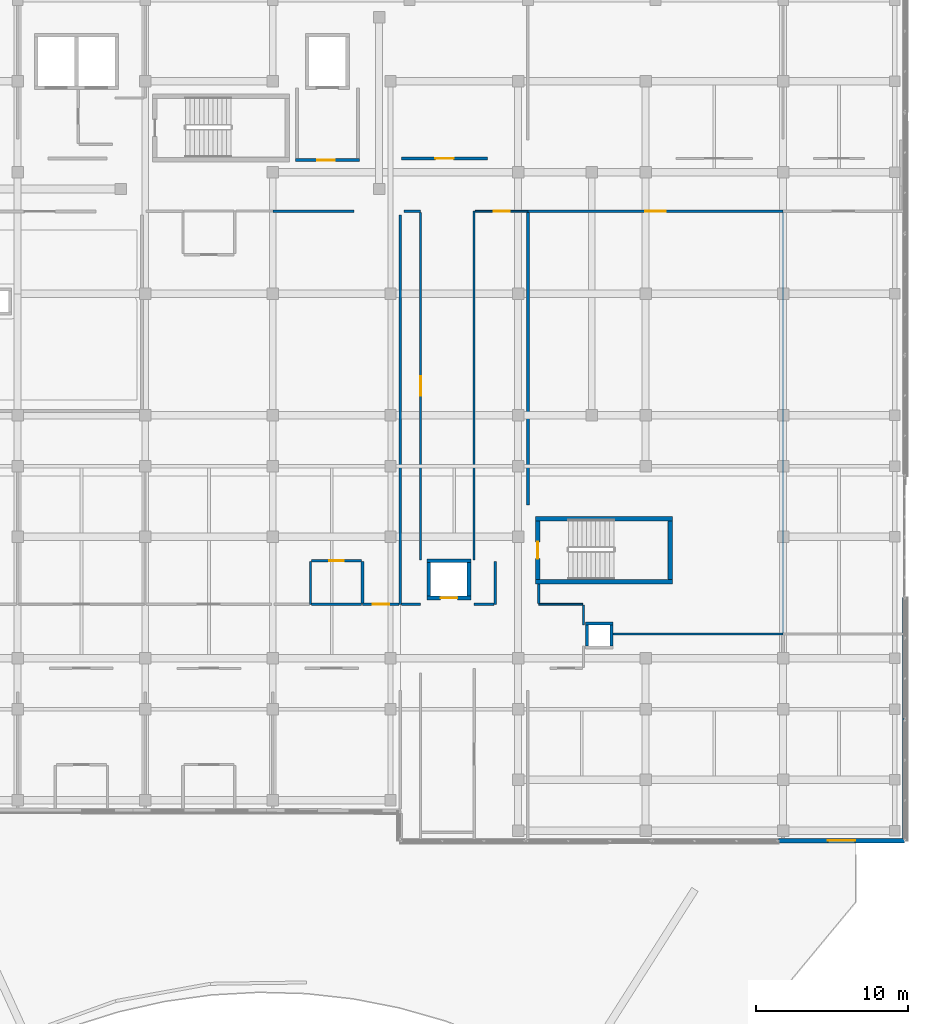
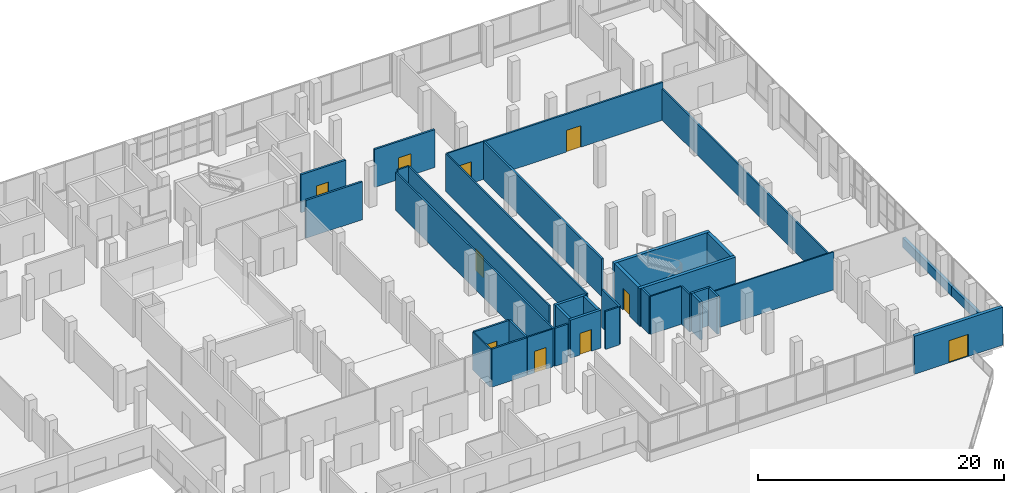
# One storey, part 90 of 101: 37 walls, 10 doors, 10 openings.
"""IFC4 building model written with IfcOpenShell, lengths in metres."""

from ifc_helpers import new_model, si_unit, direction, frame, frame_2d, origin, place, context, subcontext, project, spatial, rectangle, extrude, material, layer, layer_set, type_object, element, fill, save


model = new_model("IFC4")

# Units and contexts
model_context = context("Model", 3, precision=1e-05, world=origin(), true_north=direction((0.0, 1.0)))
body_context = subcontext(model_context, "Body", "Model", "MODEL_VIEW")
ifc_project = project(units=[si_unit("LENGTHUNIT", "METRE"), si_unit("AREAUNIT", "SQUARE_METRE"), si_unit("VOLUMEUNIT", "CUBIC_METRE"), si_unit("PLANEANGLEUNIT", "RADIAN"), si_unit("MASSUNIT", "GRAM", prefix="KILO")], contexts=[model_context])

# Site, building, storey
site_placement = place(None, origin())
site = spatial("IfcSite", under=ifc_project, at=site_placement, CompositionType="ELEMENT")
building_placement = place(site_placement, origin())
building = spatial("IfcBuilding", under=site, at=building_placement, Name="Selatvlak General Hospital", CompositionType="ELEMENT")
storey_placement = place(building_placement, frame((0.0, 0.0, 19.199951171875)))
storey = spatial("IfcBuildingStorey", under=building, at=storey_placement, Name="L04", CompositionType="ELEMENT", Elevation=19.199951171875)

# Wall, opening, door
ifc_material_1 = material(Name="Precast concrete C40/50 - white fair-faced", Category="concrete")
ifc_layer_1 = layer(ifc_material_1, 0.300048828125, Name="Precast concrete C40/50 - white fair-faced", Category="concrete")
ifc_layer_set_1 = layer_set([ifc_layer_1], Name="Precast concrete C40/50 - white fair-faced")
wall_type_1 = type_object("IfcWallType", Name="WALL-EW-01", PredefinedType="SOLIDWALL", material=ifc_layer_set_1)
wall_1_placement = place(storey_placement, frame((182.0, 64.0009765625, 0.0), z_axis=(0.0, 0.0, 1.0), x_axis=(-1.0, 0.0, 0.0)))
wall_1 = element("IfcWall", 1, at=wall_1_placement, inside=storey, type_object=wall_type_1, Name="L04 exterior wall 0452", PredefinedType="SOLIDWALL", context=body_context, shape_type="SweptSolid", body=[
    extrude(rectangle(XDim=8.300048828125, YDim=0.300048828125, at=frame_2d((4.14990234375, 0.0))), origin(), (0.0, 0.0, 1.0), 3.77001953125),
])
opening_1_placement = place(wall_1_placement, frame((3.25, 0.0, 0.0)))
opening_1 = element("IfcOpeningElement", 2, at=opening_1_placement, cuts=wall_1, Name="Opening DE-04", PredefinedType="OPENING", context=body_context, shape_type="SweptSolid", body=[
    extrude(rectangle(XDim=1.800048828125, YDim=2.199951171875, at=frame_2d((0.89990234375, 1.10009765625))), frame((0.0, 0.159912109375, 0.0), z_axis=(0.0, -1.0, 0.0), x_axis=(1.0, 0.0, 0.0)), (0.0, 0.0, 1.0), 0.320068359375),
])
ifc_material_2 = material(Name="Anodised aluminium terrace double door", Category="aluminium")
door_type_1 = type_object("IfcDoorType", Name="DOOR-DE-04", OperationType="DOUBLE_DOOR_SINGLE_SWING", PredefinedType="DOOR", material=ifc_material_2)
door_1_placement = place(opening_1_placement, origin())
door_1 = element("IfcDoor", 3, at=door_1_placement, inside=storey, type_object=door_type_1, Name="L04 healing roof terrace door 030", OperationType="DOUBLE_DOOR_SINGLE_SWING", OverallHeight=2.199951171875, OverallWidth=1.800048828125, PredefinedType="DOOR", context=body_context, shape_type="SweptSolid", body=[
    extrude(rectangle(XDim=1.800048828125, YDim=2.199951171875, at=frame_2d((0.89990234375, 1.10009765625))), frame((0.0, 0.02490234375, 0.0), z_axis=(0.0, -1.0, 0.0), x_axis=(1.0, 0.0, 0.0)), (0.0, 0.0, 1.0), 0.050048828125),
])
fill(opening_1, door_1)

# Walls
ifc_material_3 = material(Name="Precast concrete C40/50 - white Bauhaus spandrel", Category="concrete")
ifc_layer_2 = layer(ifc_material_3, 0.280029296875, Name="Precast concrete C40/50 - white Bauhaus spandrel", Category="concrete")
ifc_layer_set_2 = layer_set([ifc_layer_2], Name="Precast concrete C40/50 - white Bauhaus spandrel")
wall_type_2 = type_object("IfcWallType", Name="WALL-EW-02", PredefinedType="SOLIDWALL", material=ifc_layer_set_2)
wall_2_placement = place(storey_placement, frame((182.0, 79.9990234375, 0.0), z_axis=(0.0, 0.0, 1.0), x_axis=(0.0, -1.0, 0.0)))
element("IfcWall", 4, at=wall_2_placement, inside=storey, type_object=wall_type_2, Name="L04 Bauhaus spandrel sill wall 0450", PredefinedType="SOLIDWALL", context=body_context, shape_type="SweptSolid", body=[
    extrude(rectangle(XDim=7.99609375, YDim=0.280029296875, at=frame_2d((3.998046875, 0.0))), origin(), (0.0, 0.0, 1.0), 0.93994140625),
])
wall_3_placement = place(storey_placement, frame((182.0, 71.9990234375, 0.0), z_axis=(0.0, 0.0, 1.0), x_axis=(0.0, -1.0, 0.0)))
element("IfcWall", 5, at=wall_3_placement, inside=storey, type_object=wall_type_2, Name="L04 Bauhaus spandrel sill wall 0451", PredefinedType="SOLIDWALL", context=body_context, shape_type="SweptSolid", body=[
    extrude(rectangle(XDim=7.85791015625, YDim=0.280029296875, at=frame_2d((3.928955078125, 0.0))), origin(), (0.0, 0.0, 1.0), 0.93994140625),
])

# Wall, opening, door
ifc_material_4 = material(Name="Concrete C40/50", Category="concrete")
ifc_layer_3 = layer(ifc_material_4, 0.199951171875, Name="Concrete C40/50", Category="concrete")
ifc_layer_set_3 = layer_set([ifc_layer_3], Name="Concrete C40/50")
wall_type_3 = type_object("IfcWallType", Name="WALL-IW-02", PredefinedType="SOLIDWALL", material=ifc_layer_set_3)
wall_4_placement = place(storey_placement, frame((141.89990234375, 108.800048828125, 0.0), z_axis=(0.0, 0.0, 1.0), x_axis=(1.0, 0.0, 0.0)))
wall_4 = element("IfcWall", 6, at=wall_4_placement, inside=storey, type_object=wall_type_3, Name="Firefighting lobby C4 wall L04 S", PredefinedType="SOLIDWALL", context=body_context, shape_type="SweptSolid", body=[
    extrude(rectangle(XDim=4.2001953125, YDim=0.199951171875, at=frame_2d((2.10009765625, 0.0))), origin(), (0.0, 0.0, 1.0), 3.77001953125),
])
opening_2_placement = place(wall_4_placement, frame((1.425048828125, 0.0, 0.0)))
opening_2 = element("IfcOpeningElement", 7, at=opening_2_placement, cuts=wall_4, Name="Opening D-06", PredefinedType="OPENING", context=body_context, shape_type="SweptSolid", body=[
    extrude(rectangle(XDim=1.14990234375, YDim=2.14990234375, at=frame_2d((0.574951171875, 1.074951171875))), frame((0.0, 0.10986328125, 0.0), z_axis=(0.0, -1.0, 0.0), x_axis=(1.0, 0.0, 0.0)), (0.0, 0.0, 1.0), 0.219970703125),
])
ifc_material_5 = material(Name="Firefighting lobby fire door")
door_type_2 = type_object("IfcDoorType", Name="DOOR-D-06", OperationType="NOTDEFINED", PredefinedType="DOOR", material=ifc_material_5)
door_2_placement = place(opening_2_placement, origin())
door_2 = element("IfcDoor", 8, at=door_2_placement, inside=storey, type_object=door_type_2, Name="Firefighting lobby C4 door on L04", OperationType="SINGLE_SWING_RIGHT", OverallHeight=2.14990234375, OverallWidth=1.14990234375, PredefinedType="DOOR", context=body_context, shape_type="SweptSolid", body=[
    extrude(rectangle(XDim=1.14990234375, YDim=2.14990234375, at=frame_2d((0.574951171875, 1.074951171875))), frame((0.0, 0.02490234375, 0.0), z_axis=(0.0, -1.0, 0.0), x_axis=(1.0, 0.0, 0.0)), (0.0, 0.0, 1.0), 0.050048828125),
])
fill(opening_2, door_2)

# Walls
wall_5_placement = place(storey_placement, frame((162.699951171875, 76.800048828125, 0.0), z_axis=(0.0, 0.0, 1.0), x_axis=(0.0, 1.0, 0.0)))
element("IfcWall", 9, at=wall_5_placement, inside=storey, type_object=wall_type_3, Name="Service riser 4 shaft wall L04 E", PredefinedType="SOLIDWALL", context=body_context, shape_type="SweptSolid", body=[
    extrude(rectangle(XDim=1.39990234375, YDim=0.199951171875, at=frame_2d((0.699951171875, 0.0))), origin(), (0.0, 0.0, 1.0), 3.77001953125),
])
wall_6_placement = place(storey_placement, frame((162.800048828125, 78.300048828125, 0.0), z_axis=(0.0, 0.0, 1.0), x_axis=(-1.0, 0.0, 0.0)))
element("IfcWall", 10, at=wall_6_placement, inside=storey, type_object=wall_type_3, Name="Service riser 4 shaft wall L04 N", PredefinedType="SOLIDWALL", context=body_context, shape_type="SweptSolid", body=[
    extrude(rectangle(XDim=1.800048828125, YDim=0.199951171875, at=frame_2d((0.89990234375, 0.0))), origin(), (0.0, 0.0, 1.0), 3.77001953125),
])
wall_7_placement = place(storey_placement, frame((161.10009765625, 78.199951171875, 0.0), z_axis=(0.0, 0.0, 1.0), x_axis=(0.0, -1.0, 0.0)))
element("IfcWall", 11, at=wall_7_placement, inside=storey, type_object=wall_type_3, Name="Service riser 4 shaft wall L04 W", PredefinedType="SOLIDWALL", context=body_context, shape_type="SweptSolid", body=[
    extrude(rectangle(XDim=1.39990234375, YDim=0.199951171875, at=frame_2d((0.699951171875, 0.0))), origin(), (0.0, 0.0, 1.0), 3.77001953125),
])
ifc_material_6 = material(Name="Acoustic gypsum stud partition")
ifc_layer_4 = layer(ifc_material_6, 0.179931640625, Name="Acoustic gypsum stud partition")
ifc_layer_set_4 = layer_set([ifc_layer_4], Name="Acoustic gypsum stud partition")
wall_type_4 = type_object("IfcWallType", Name="WALL-PT-01", PredefinedType="PARTITIONING", material=ifc_layer_set_4)
wall_8_placement = place(storey_placement, frame((140.39990234375, 105.43994140625, 0.0), z_axis=(0.0, 0.0, 1.0), x_axis=(1.0, 0.0, 0.0)))
element("IfcWall", 12, at=wall_8_placement, inside=storey, type_object=wall_type_4, Name="L04 clinical partition PT-L04-1758", PredefinedType="PARTITIONING", context=body_context, shape_type="SweptSolid", body=[
    extrude(rectangle(XDim=5.343994140625, YDim=0.179931640625, at=frame_2d((2.671875, 0.0))), origin(), (0.0, 0.0, 1.0), 3.77001953125),
])
wall_9_placement = place(storey_placement, frame((146.31005859375, 79.6240234375, 0.0), z_axis=(0.0, 0.0, 1.0), x_axis=(0.0, 1.0, 0.0)))
element("IfcWall", 13, at=wall_9_placement, inside=storey, type_object=wall_type_4, Name="L04 clinical partition PT-L04-1761", PredefinedType="PARTITIONING", context=body_context, shape_type="SweptSolid", body=[
    extrude(rectangle(XDim=2.736083984375, YDim=0.179931640625, at=frame_2d((1.3681640625, 0.0))), origin(), (0.0, 0.0, 1.0), 3.77001953125),
])
wall_10_placement = place(storey_placement, frame((157.199951171875, 105.384033203125, 0.0), z_axis=(0.0, 0.0, 1.0), x_axis=(0.0, -1.0, 0.0)))
element("IfcWall", 14, at=wall_10_placement, inside=storey, type_object=wall_type_4, Name="L04 clinical partition PT-L04-1770", PredefinedType="PARTITIONING", context=body_context, shape_type="SweptSolid", body=[
    extrude(rectangle(XDim=19.27197265625, YDim=0.179931640625, at=frame_2d((9.635986328125, 0.0))), origin(), (0.0, 0.0, 1.0), 3.77001953125),
])
wall_11_placement = place(storey_placement, frame((157.909912109375, 79.615966796875, 0.0), z_axis=(0.0, 0.0, 1.0), x_axis=(0.0, 1.0, 0.0)))
element("IfcWall", 15, at=wall_11_placement, inside=storey, type_object=wall_type_4, Name="L04 clinical partition PT-L04-1775", PredefinedType="PARTITIONING", context=body_context, shape_type="SweptSolid", body=[
    extrude(rectangle(XDim=1.277099609375, YDim=0.179931640625, at=frame_2d((0.638671875, 0.0))), origin(), (0.0, 0.0, 1.0), 3.77001953125),
])

# Wall, opening, door
wall_12_placement = place(storey_placement, frame((154.5390625, 108.909912109375, 0.0), z_axis=(0.0, 0.0, 1.0), x_axis=(-1.0, 0.0, 0.0)))
wall_12 = element("IfcWall", 16, at=wall_12_placement, inside=storey, type_object=wall_type_4, Name="L04 clinical partition PT-L04-1830", PredefinedType="PARTITIONING", context=body_context, shape_type="SweptSolid", body=[
    extrude(rectangle(XDim=5.66015625, YDim=0.179931640625, at=frame_2d((2.830078125, 0.0))), origin(), (0.0, 0.0, 1.0), 3.77001953125),
])
opening_3_placement = place(wall_12_placement, frame((2.22998046875, 0.0, 0.0)))
opening_3 = element("IfcOpeningElement", 17, at=opening_3_placement, cuts=wall_12, Name="Opening D-07", PredefinedType="OPENING", context=body_context, shape_type="SweptSolid", body=[
    extrude(rectangle(XDim=1.199951171875, YDim=2.14990234375, at=frame_2d((0.60009765625, 1.074951171875))), frame((0.0, 0.099853515625, 0.0), z_axis=(0.0, -1.0, 0.0), x_axis=(1.0, 0.0, 0.0)), (0.0, 0.0, 1.0), 0.199951171875),
])
ifc_material_7 = material(Name="Plant and store fire door")
door_type_3 = type_object("IfcDoorType", Name="DOOR-D-07", OperationType="NOTDEFINED", PredefinedType="DOOR", material=ifc_material_7)
door_3_placement = place(opening_3_placement, origin())
door_3 = element("IfcDoor", 18, at=door_3_placement, inside=storey, type_object=door_type_3, Name="L04 Paediatric Play Therapy Room 40 door", OperationType="SINGLE_SWING_RIGHT", OverallHeight=2.14990234375, OverallWidth=1.199951171875, PredefinedType="DOOR", context=body_context, shape_type="SweptSolid", body=[
    extrude(rectangle(XDim=1.199951171875, YDim=2.14990234375, at=frame_2d((0.60009765625, 1.074951171875))), frame((0.0, 0.02490234375, 0.0), z_axis=(0.0, -1.0, 0.0), x_axis=(1.0, 0.0, 0.0)), (0.0, 0.0, 1.0), 0.050048828125),
])
fill(opening_3, door_3)

# Wall
ifc_layer_5 = layer(ifc_material_6, 0.1650390625, Name="Acoustic gypsum stud partition")
ifc_layer_set_5 = layer_set([ifc_layer_5], Name="Acoustic gypsum stud partition")
wall_type_5 = type_object("IfcWallType", Name="WALL-PT-02", PredefinedType="PARTITIONING", material=ifc_layer_set_5)
wall_13_placement = place(storey_placement, frame((148.800048828125, 105.18994140625, 0.0), z_axis=(0.0, 0.0, 1.0), x_axis=(0.0, -1.0, 0.0)))
element("IfcWall", 19, at=wall_13_placement, inside=storey, type_object=wall_type_5, Name="L04 clinical partition PT-L04-1759", PredefinedType="PARTITIONING", context=body_context, shape_type="SweptSolid", body=[
    extrude(rectangle(XDim=25.6298828125, YDim=0.1650390625, at=frame_2d((12.81494140625, 0.0))), origin(), (0.0, 0.0, 1.0), 3.77001953125),
])

# Wall, opening, door
wall_14_placement = place(storey_placement, frame((146.25, 82.419921875, 0.0), z_axis=(0.0, 0.0, 1.0), x_axis=(-1.0, 0.0, 0.0)))
wall_14 = element("IfcWall", 20, at=wall_14_placement, inside=storey, type_object=wall_type_5, Name="L04 clinical partition PT-L04-1762", PredefinedType="PARTITIONING", context=body_context, shape_type="SweptSolid", body=[
    extrude(rectangle(XDim=3.300048828125, YDim=0.1650390625, at=frame_2d((1.64990234375, 0.0))), origin(), (0.0, 0.0, 1.0), 3.77001953125),
])
opening_4_placement = place(wall_14_placement, frame((1.175048828125, 0.0, 0.0)))
opening_4 = element("IfcOpeningElement", 21, at=opening_4_placement, cuts=wall_14, Name="Opening D-02", PredefinedType="OPENING", context=body_context, shape_type="SweptSolid", body=[
    extrude(rectangle(XDim=0.949951171875, YDim=2.10009765625, at=frame_2d((0.47509765625, 1.050048828125))), frame((0.0, 0.092529296875, 0.0), z_axis=(0.0, -1.0, 0.0), x_axis=(1.0, 0.0, 0.0)), (0.0, 0.0, 1.0), 0.18505859375),
])
ifc_material_8 = material(Name="Moisture-resistant en-suite door")
door_type_4 = type_object("IfcDoorType", Name="DOOR-D-02", OperationType="NOTDEFINED", PredefinedType="DOOR", material=ifc_material_8)
door_4_placement = place(opening_4_placement, origin())
door_4 = element("IfcDoor", 22, at=door_4_placement, inside=storey, type_object=door_type_4, Name="L04 Patient En-Suite WC 21 door", OperationType="SINGLE_SWING_LEFT", OverallHeight=2.10009765625, OverallWidth=0.949951171875, PredefinedType="DOOR", context=body_context, shape_type="SweptSolid", body=[
    extrude(rectangle(XDim=0.949951171875, YDim=2.10009765625, at=frame_2d((0.47509765625, 1.050048828125))), frame((0.0, 0.02490234375, 0.0), z_axis=(0.0, -1.0, 0.0), x_axis=(1.0, 0.0, 0.0)), (0.0, 0.0, 1.0), 0.050048828125),
])
fill(opening_4, door_4)

# Walls
wall_15_placement = place(storey_placement, frame((146.25, 79.56005859375, 0.0), z_axis=(0.0, 0.0, 1.0), x_axis=(-1.0, 0.0, 0.0)))
element("IfcWall", 23, at=wall_15_placement, inside=storey, type_object=wall_type_5, Name="L04 clinical partition PT-L04-1765", PredefinedType="PARTITIONING", context=body_context, shape_type="SweptSolid", body=[
    extrude(rectangle(XDim=3.297119140625, YDim=0.1650390625, at=frame_2d((1.6484375, 0.0))), origin(), (0.0, 0.0, 1.0), 3.77001953125),
])
wall_16_placement = place(storey_placement, frame((155.0400390625, 82.388916015625, 0.0), z_axis=(0.0, 0.0, 1.0), x_axis=(0.0, -1.0, 0.0)))
element("IfcWall", 24, at=wall_16_placement, inside=storey, type_object=wall_type_5, Name="L04 clinical partition PT-L04-1766", PredefinedType="PARTITIONING", context=body_context, shape_type="SweptSolid", body=[
    extrude(rectangle(XDim=2.828857421875, YDim=0.1650390625, at=frame_2d((1.41455078125, 0.0))), origin(), (0.0, 0.0, 1.0), 3.77001953125),
])
wall_17_placement = place(storey_placement, frame((150.139892578125, 79.56005859375, 0.0), z_axis=(0.0, 0.0, 1.0), x_axis=(-1.0, 0.0, 0.0)))
element("IfcWall", 25, at=wall_17_placement, inside=storey, type_object=wall_type_5, Name="L04 clinical partition PT-L04-1771", PredefinedType="PARTITIONING", context=body_context, shape_type="SweptSolid", body=[
    extrude(rectangle(XDim=1.260986328125, YDim=0.1650390625, at=frame_2d((0.63037109375, 0.0))), origin(), (0.0, 0.0, 1.0), 3.77001953125),
])

# Wall, opening, door
wall_18_placement = place(storey_placement, frame((157.199951171875, 105.43994140625, 0.0), z_axis=(0.0, 0.0, 1.0), x_axis=(1.0, 0.0, 0.0)))
wall_18 = element("IfcWall", 26, at=wall_18_placement, inside=storey, type_object=wall_type_5, Name="L04 clinical partition PT-L04-1776", PredefinedType="PARTITIONING", context=body_context, shape_type="SweptSolid", body=[
    extrude(rectangle(XDim=16.800048828125, YDim=0.1650390625, at=frame_2d((8.39990234375, 0.0))), origin(), (0.0, 0.0, 1.0), 3.77001953125),
])
opening_5_placement = place(wall_18_placement, frame((7.72509765625, 0.0, 0.0)))
opening_5 = element("IfcOpeningElement", 27, at=opening_5_placement, cuts=wall_18, Name="Opening D-10", PredefinedType="OPENING", context=body_context, shape_type="SweptSolid", body=[
    extrude(rectangle(XDim=1.35009765625, YDim=2.14990234375, at=frame_2d((0.675048828125, 1.074951171875))), frame((0.0, 0.092529296875, 0.0), z_axis=(0.0, -1.0, 0.0), x_axis=(1.0, 0.0, 0.0)), (0.0, 0.0, 1.0), 0.18505859375),
])
ifc_material_9 = material(Name="Single patient bed door")
door_type_5 = type_object("IfcDoorType", Name="DOOR-D-10", OperationType="NOTDEFINED", PredefinedType="DOOR", material=ifc_material_9)
door_5_placement = place(opening_5_placement, origin())
door_5 = element("IfcDoor", 28, at=door_5_placement, inside=storey, type_object=door_type_5, Name="L04 Multidisciplinary Rehabilitation Gymnasium 24 door", OperationType="SINGLE_SWING_RIGHT", OverallHeight=2.14990234375, OverallWidth=1.35009765625, PredefinedType="DOOR", context=body_context, shape_type="SweptSolid", body=[
    extrude(rectangle(XDim=1.35009765625, YDim=2.14990234375, at=frame_2d((0.675048828125, 1.074951171875))), frame((0.0, 0.02490234375, 0.0), z_axis=(0.0, -1.0, 0.0), x_axis=(1.0, 0.0, 0.0)), (0.0, 0.0, 1.0), 0.050048828125),
])
fill(opening_5, door_5)

# Walls
ifc_layer_6 = layer(ifc_material_6, 0.14990234375, Name="Acoustic gypsum stud partition")
ifc_layer_set_6 = layer_set([ifc_layer_6], Name="Acoustic gypsum stud partition")
wall_type_6 = type_object("IfcWallType", Name="WALL-PT-03", PredefinedType="PARTITIONING", material=ifc_layer_set_6)
wall_19_placement = place(storey_placement, frame((154.9619140625, 79.56005859375, 0.0), z_axis=(0.0, 0.0, 1.0), x_axis=(-1.0, 0.0, 0.0)))
element("IfcWall", 29, at=wall_19_placement, inside=storey, type_object=wall_type_6, Name="L04 clinical partition PT-L04-1767", PredefinedType="PARTITIONING", context=body_context, shape_type="SweptSolid", body=[
    extrude(rectangle(XDim=1.302001953125, YDim=0.14990234375, at=frame_2d((0.65087890625, 0.0))), origin(), (0.0, 0.0, 1.0), 3.77001953125),
])
wall_20_placement = place(storey_placement, frame((149.055908203125, 105.43994140625, 0.0), z_axis=(0.0, 0.0, 1.0), x_axis=(1.0, 0.0, 0.0)))
element("IfcWall", 30, at=wall_20_placement, inside=storey, type_object=wall_type_6, Name="L04 clinical partition PT-L04-1772", PredefinedType="PARTITIONING", context=body_context, shape_type="SweptSolid", body=[
    extrude(rectangle(XDim=1.083984375, YDim=0.14990234375, at=frame_2d((0.5419921875, 0.0))), origin(), (0.0, 0.0, 1.0), 3.77001953125),
])
wall_21_placement = place(storey_placement, frame((174.0, 105.361083984375, 0.0), z_axis=(0.0, 0.0, 1.0), x_axis=(0.0, -1.0, 0.0)))
element("IfcWall", 31, at=wall_21_placement, inside=storey, type_object=wall_type_6, Name="L04 clinical partition PT-L04-1777", PredefinedType="PARTITIONING", context=body_context, shape_type="SweptSolid", body=[
    extrude(rectangle(XDim=27.705078125, YDim=0.14990234375, at=frame_2d((13.8525390625, 0.0))), origin(), (0.0, 0.0, 1.0), 3.1201171875),
])

# Wall, opening, door
ifc_material_10 = material(Name="Moisture-resistant clinical partition")
ifc_layer_7 = layer(ifc_material_10, 0.135009765625, Name="Moisture-resistant clinical partition")
ifc_layer_set_7 = layer_set([ifc_layer_7], Name="Moisture-resistant clinical partition")
wall_type_7 = type_object("IfcWallType", Name="WALL-PT-04", PredefinedType="PARTITIONING", material=ifc_layer_set_7)
wall_22_placement = place(storey_placement, frame((148.721923828125, 79.56005859375, 0.0), z_axis=(0.0, 0.0, 1.0), x_axis=(-1.0, 0.0, 0.0)))
wall_22 = element("IfcWall", 32, at=wall_22_placement, inside=storey, type_object=wall_type_7, Name="L04 clinical partition PT-L04-1760", PredefinedType="PARTITIONING", context=body_context, shape_type="SweptSolid", body=[
    extrude(rectangle(XDim=2.411865234375, YDim=0.135009765625, at=frame_2d((1.2060546875, 0.0))), origin(), (0.0, 0.0, 1.0), 3.77001953125),
])
opening_6_placement = place(wall_22_placement, frame((0.656005859375, 0.0, 0.0)))
opening_6 = element("IfcOpeningElement", 33, at=opening_6_placement, cuts=wall_22, Name="Opening D-22", PredefinedType="OPENING", context=body_context, shape_type="SweptSolid", body=[
    extrude(rectangle(XDim=1.10009765625, YDim=2.14990234375, at=frame_2d((0.550048828125, 1.074951171875))), frame((0.0, 0.077392578125, 0.0), z_axis=(0.0, -1.0, 0.0), x_axis=(1.0, 0.0, 0.0)), (0.0, 0.0, 1.0), 0.155029296875),
])
ifc_material_11 = material(Name="Pharmacy security fire door")
door_type_6 = type_object("IfcDoorType", Name="DOOR-D-22", OperationType="NOTDEFINED", PredefinedType="DOOR", material=ifc_material_11)
door_6_placement = place(opening_6_placement, origin())
door_6 = element("IfcDoor", 34, at=door_6_placement, inside=storey, type_object=door_type_6, Name="L04 Maternity Postnatal Patient Room 21 door", OperationType="SINGLE_SWING_RIGHT", OverallHeight=2.14990234375, OverallWidth=1.10009765625, PredefinedType="DOOR", context=body_context, shape_type="SweptSolid", body=[
    extrude(rectangle(XDim=1.10009765625, YDim=2.14990234375, at=frame_2d((0.550048828125, 1.074951171875))), frame((0.0, 0.02490234375, 0.0), z_axis=(0.0, -1.0, 0.0), x_axis=(1.0, 0.0, 0.0)), (0.0, 0.0, 1.0), 0.050048828125),
])
fill(opening_6, door_6)

# Walls
wall_23_placement = place(storey_placement, frame((142.889892578125, 82.360107421875, 0.0), z_axis=(0.0, 0.0, 1.0), x_axis=(0.0, -1.0, 0.0)))
element("IfcWall", 35, at=wall_23_placement, inside=storey, type_object=wall_type_7, Name="L04 clinical partition PT-L04-1763", PredefinedType="PARTITIONING", context=body_context, shape_type="SweptSolid", body=[
    extrude(rectangle(XDim=2.800048828125, YDim=0.135009765625, at=frame_2d((1.39990234375, 0.0))), origin(), (0.0, 0.0, 1.0), 3.77001953125),
])
wall_24_placement = place(storey_placement, frame((153.659912109375, 82.47998046875, 0.0), z_axis=(0.0, 0.0, 1.0), x_axis=(0.0, 1.0, 0.0)))
element("IfcWall", 36, at=wall_24_placement, inside=storey, type_object=wall_type_7, Name="L04 clinical partition PT-L04-1768", PredefinedType="PARTITIONING", context=body_context, shape_type="SweptSolid", body=[
    extrude(rectangle(XDim=22.9599609375, YDim=0.135009765625, at=frame_2d((11.47998046875, 0.0))), origin(), (0.0, 0.0, 1.0), 3.77001953125),
])

# Wall, opening, door
wall_25_placement = place(storey_placement, frame((150.139892578125, 105.368896484375, 0.0), z_axis=(0.0, 0.0, 1.0), x_axis=(0.0, -1.0, 0.0)))
wall_25 = element("IfcWall", 37, at=wall_25_placement, inside=storey, type_object=wall_type_7, Name="L04 clinical partition PT-L04-1773", PredefinedType="PARTITIONING", context=body_context, shape_type="SweptSolid", body=[
    extrude(rectangle(XDim=22.888916015625, YDim=0.135009765625, at=frame_2d((11.4443359375, 0.0))), origin(), (0.0, 0.0, 1.0), 3.77001953125),
])
opening_7_placement = place(wall_25_placement, frame((10.7939453125, 0.0, 0.0)))
opening_7 = element("IfcOpeningElement", 38, at=opening_7_placement, cuts=wall_25, Name="Opening D-09", PredefinedType="OPENING", context=body_context, shape_type="SweptSolid", body=[
    extrude(rectangle(XDim=1.300048828125, YDim=2.14990234375, at=frame_2d((0.64990234375, 1.074951171875))), frame((0.0, 0.077392578125, 0.0), z_axis=(0.0, -1.0, 0.0), x_axis=(1.0, 0.0, 0.0)), (0.0, 0.0, 1.0), 0.155029296875),
])
ifc_material_12 = material(Name="Outpatient procedure door")
door_type_7 = type_object("IfcDoorType", Name="DOOR-D-09", OperationType="NOTDEFINED", PredefinedType="DOOR", material=ifc_material_12)
door_7_placement = place(opening_7_placement, origin())
door_7 = element("IfcDoor", 39, at=door_7_placement, inside=storey, type_object=door_type_7, Name="L04 Lactation Consultation Clinic 23 door", OperationType="SINGLE_SWING_LEFT", OverallHeight=2.14990234375, OverallWidth=1.300048828125, PredefinedType="DOOR", context=body_context, shape_type="SweptSolid", body=[
    extrude(rectangle(XDim=1.300048828125, YDim=2.14990234375, at=frame_2d((0.64990234375, 1.074951171875))), frame((0.0, 0.02490234375, 0.0), z_axis=(0.0, -1.0, 0.0), x_axis=(1.0, 0.0, 0.0)), (0.0, 0.0, 1.0), 0.050048828125),
])
fill(opening_7, door_7)

# Walls
wall_26_placement = place(storey_placement, frame((160.860107421875, 78.199951171875, 0.0), z_axis=(0.0, 0.0, 1.0), x_axis=(0.0, 1.0, 0.0)))
element("IfcWall", 40, at=wall_26_placement, inside=storey, type_object=wall_type_7, Name="L04 clinical partition PT-L04-1778", PredefinedType="PARTITIONING", context=body_context, shape_type="SweptSolid", body=[
    extrude(rectangle(XDim=1.300048828125, YDim=0.135009765625, at=frame_2d((0.64990234375, 0.0))), origin(), (0.0, 0.0, 1.0), 3.77001953125),
])
ifc_layer_8 = layer(ifc_material_10, 0.1201171875, Name="Moisture-resistant clinical partition")
ifc_layer_set_8 = layer_set([ifc_layer_8], Name="Moisture-resistant clinical partition")
wall_type_8 = type_object("IfcWallType", Name="WALL-PT-05", PredefinedType="PARTITIONING", material=ifc_layer_set_8)
wall_27_placement = place(storey_placement, frame((162.797119140625, 77.60009765625, 0.0), z_axis=(0.0, 0.0, 1.0), x_axis=(1.0, 0.0, 0.0)))
element("IfcWall", 41, at=wall_27_placement, inside=storey, type_object=wall_type_8, Name="L04 clinical partition PT-L04-1689", PredefinedType="PARTITIONING", context=body_context, shape_type="SweptSolid", body=[
    extrude(rectangle(XDim=11.202880859375, YDim=0.1201171875, at=frame_2d((5.6015625, 0.0))), origin(), (0.0, 0.0, 1.0), 3.77001953125),
])

# Wall, opening, door
wall_28_placement = place(storey_placement, frame((153.72412109375, 105.43994140625, 0.0), z_axis=(0.0, 0.0, 1.0), x_axis=(1.0, 0.0, 0.0)))
wall_28 = element("IfcWall", 42, at=wall_28_placement, inside=storey, type_object=wall_type_8, Name="L04 clinical partition PT-L04-1769", PredefinedType="PARTITIONING", context=body_context, shape_type="SweptSolid", body=[
    extrude(rectangle(XDim=3.475830078125, YDim=0.1201171875, at=frame_2d((1.73779296875, 0.0))), origin(), (0.0, 0.0, 1.0), 3.77001953125),
])
opening_8_placement = place(wall_28_placement, frame((1.212890625, 0.0, 0.0)))
opening_8 = element("IfcOpeningElement", 43, at=opening_8_placement, cuts=wall_28, Name="Opening D-04", PredefinedType="OPENING", context=body_context, shape_type="SweptSolid", body=[
    extrude(rectangle(XDim=1.050048828125, YDim=2.14990234375, at=frame_2d((0.52490234375, 1.074951171875))), frame((0.0, 0.070068359375, 0.0), z_axis=(0.0, -1.0, 0.0), x_axis=(1.0, 0.0, 0.0)), (0.0, 0.0, 1.0), 0.14013671875),
])
ifc_material_13 = material(Name="Consultation room door")
door_type_8 = type_object("IfcDoorType", Name="DOOR-D-04", OperationType="NOTDEFINED", PredefinedType="DOOR", material=ifc_material_13)
door_8_placement = place(opening_8_placement, origin())
door_8 = element("IfcDoor", 44, at=door_8_placement, inside=storey, type_object=door_type_8, Name="L04 Paediatric Play Therapy Room 22 door", OperationType="SINGLE_SWING_RIGHT", OverallHeight=2.14990234375, OverallWidth=1.050048828125, PredefinedType="DOOR", context=body_context, shape_type="SweptSolid", body=[
    extrude(rectangle(XDim=1.050048828125, YDim=2.14990234375, at=frame_2d((0.52490234375, 1.074951171875))), frame((0.0, 0.02490234375, 0.0), z_axis=(0.0, -1.0, 0.0), x_axis=(1.0, 0.0, 0.0)), (0.0, 0.0, 1.0), 0.050048828125),
])
fill(opening_8, door_8)

# Walls
wall_29_placement = place(storey_placement, frame((160.800048828125, 79.56005859375, 0.0), z_axis=(0.0, 0.0, 1.0), x_axis=(-1.0, 0.0, 0.0)))
element("IfcWall", 45, at=wall_29_placement, inside=storey, type_object=wall_type_8, Name="L04 clinical partition PT-L04-1774", PredefinedType="PARTITIONING", context=body_context, shape_type="SweptSolid", body=[
    extrude(rectangle(XDim=2.89013671875, YDim=0.1201171875, at=frame_2d((1.445068359375, 0.0))), origin(), (0.0, 0.0, 1.0), 3.77001953125),
])
ifc_material_14 = material(Name="Concrete C45/55", Category="concrete")
ifc_layer_9 = layer(ifc_material_14, 0.300048828125, Name="Concrete C45/55", Category="concrete")
ifc_layer_set_9 = layer_set([ifc_layer_9], Name="Concrete C45/55")
wall_type_9 = type_object("IfcWallType", Name="WALL-SW-02", PredefinedType="SHEAR", material=ifc_layer_set_9)
wall_30_placement = place(storey_placement, frame((157.68994140625, 81.0400390625, 0.0), z_axis=(0.0, 0.0, 1.0), x_axis=(1.0, 0.0, 0.0)))
element("IfcWall", 46, at=wall_30_placement, inside=storey, type_object=wall_type_9, Name="ST-06 core shear wall L04 S", PredefinedType="SHEAR", context=body_context, shape_type="SweptSolid", body=[
    extrude(rectangle(XDim=9.02001953125, YDim=0.300048828125, at=frame_2d((4.510009765625, 0.0))), origin(), (0.0, 0.0, 1.0), 3.77001953125),
])
wall_31_placement = place(storey_placement, frame((166.56005859375, 81.18994140625, 0.0), z_axis=(0.0, 0.0, 1.0), x_axis=(0.0, 1.0, 0.0)))
element("IfcWall", 47, at=wall_31_placement, inside=storey, type_object=wall_type_9, Name="ST-06 core shear wall L04 E", PredefinedType="SHEAR", context=body_context, shape_type="SweptSolid", body=[
    extrude(rectangle(XDim=3.860107421875, YDim=0.300048828125, at=frame_2d((1.93017578125, 0.0))), origin(), (0.0, 0.0, 1.0), 3.77001953125),
])
wall_32_placement = place(storey_placement, frame((166.7099609375, 85.199951171875, 0.0), z_axis=(0.0, 0.0, 1.0), x_axis=(-1.0, 0.0, 0.0)))
element("IfcWall", 48, at=wall_32_placement, inside=storey, type_object=wall_type_9, Name="ST-06 core shear wall L04 N", PredefinedType="SHEAR", context=body_context, shape_type="SweptSolid", body=[
    extrude(rectangle(XDim=9.02001953125, YDim=0.300048828125, at=frame_2d((4.510009765625, 0.0))), origin(), (0.0, 0.0, 1.0), 3.77001953125),
])

# Wall, opening, door
wall_33_placement = place(storey_placement, frame((157.840087890625, 85.050048828125, 0.0), z_axis=(0.0, 0.0, 1.0), x_axis=(0.0, -1.0, 0.0)))
wall_33 = element("IfcWall", 49, at=wall_33_placement, inside=storey, type_object=wall_type_9, Name="ST-06 core shear wall L04 W", PredefinedType="SHEAR", context=body_context, shape_type="SweptSolid", body=[
    extrude(rectangle(XDim=3.860107421875, YDim=0.300048828125, at=frame_2d((1.93017578125, 0.0))), origin(), (0.0, 0.0, 1.0), 3.77001953125),
])
opening_9_placement = place(wall_33_placement, frame((1.3798828125, 0.0, 0.0)))
opening_9 = element("IfcOpeningElement", 50, at=opening_9_placement, cuts=wall_33, Name="Opening D-05", PredefinedType="OPENING", context=body_context, shape_type="SweptSolid", body=[
    extrude(rectangle(XDim=1.10009765625, YDim=2.14990234375, at=frame_2d((0.550048828125, 1.074951171875))), frame((0.0, 0.159912109375, 0.0), z_axis=(0.0, -1.0, 0.0), x_axis=(1.0, 0.0, 0.0)), (0.0, 0.0, 1.0), 0.320068359375),
])
ifc_material_15 = material(Name="Protected stair fire door")
door_type_9 = type_object("IfcDoorType", Name="DOOR-D-05", OperationType="NOTDEFINED", PredefinedType="DOOR", material=ifc_material_15)
door_9_placement = place(opening_9_placement, origin())
door_9 = element("IfcDoor", 51, at=door_9_placement, inside=storey, type_object=door_type_9, Name="ST-06 protected stair door on L04", OperationType="SINGLE_SWING_RIGHT", OverallHeight=2.14990234375, OverallWidth=1.10009765625, PredefinedType="DOOR", context=body_context, shape_type="SweptSolid", body=[
    extrude(rectangle(XDim=1.10009765625, YDim=2.14990234375, at=frame_2d((0.550048828125, 1.074951171875))), frame((0.0, 0.02490234375, 0.0), z_axis=(0.0, -1.0, 0.0), x_axis=(1.0, 0.0, 0.0)), (0.0, 0.0, 1.0), 0.050048828125),
])
fill(opening_9, door_9)

ifc_layer_10 = layer(ifc_material_4, 0.25, Name="Concrete C40/50", Category="concrete")
ifc_layer_set_10 = layer_set([ifc_layer_10], Name="Concrete C40/50")
wall_type_10 = type_object("IfcWallType", Name="WALL-SW-03", PredefinedType="SHEAR", material=ifc_layer_set_10)
wall_34_placement = place(storey_placement, frame((150.550048828125, 79.97509765625, 0.0), z_axis=(0.0, 0.0, 1.0), x_axis=(1.0, 0.0, 0.0)))
wall_34 = element("IfcWall", 52, at=wall_34_placement, inside=storey, type_object=wall_type_10, Name="Lift LP-04 shaft wall L04 S", PredefinedType="SHEAR", context=body_context, shape_type="SweptSolid", body=[
    extrude(rectangle(XDim=2.89990234375, YDim=0.25, at=frame_2d((1.449951171875, 0.0))), origin(), (0.0, 0.0, 1.0), 3.77001953125),
])
opening_10_placement = place(wall_34_placement, frame((0.89990234375, 0.0, 0.0)))
opening_10 = element("IfcOpeningElement", 53, at=opening_10_placement, cuts=wall_34, Name="Opening LD-P1", PredefinedType="OPENING", context=body_context, shape_type="SweptSolid", body=[
    extrude(rectangle(XDim=1.10009765625, YDim=2.14990234375, at=frame_2d((0.550048828125, 1.074951171875))), frame((0.0, 0.135009765625, 0.0), z_axis=(0.0, -1.0, 0.0), x_axis=(1.0, 0.0, 0.0)), (0.0, 0.0, 1.0), 0.27001953125),
])
ifc_material_16 = material(Name="Stainless steel passenger lift landing door", Category="steel")
door_type_10 = type_object("IfcDoorType", Name="DOOR-LD-P1", OperationType="DOUBLE_DOOR_SLIDING", PredefinedType="DOOR", material=ifc_material_16)
door_10_placement = place(opening_10_placement, origin())
door_10 = element("IfcDoor", 54, at=door_10_placement, inside=storey, type_object=door_type_10, Name="Lift LP-04 sliding landing door on L04", OperationType="DOUBLE_DOOR_SLIDING", OverallHeight=2.14990234375, OverallWidth=1.10009765625, PredefinedType="DOOR", context=body_context, shape_type="SweptSolid", body=[
    extrude(rectangle(XDim=1.10009765625, YDim=2.14990234375, at=frame_2d((0.550048828125, 1.074951171875))), frame((0.0, 0.02490234375, 0.0), z_axis=(0.0, -1.0, 0.0), x_axis=(1.0, 0.0, 0.0)), (0.0, 0.0, 1.0), 0.050048828125),
])
fill(opening_10, door_10)

# Walls
wall_35_placement = place(storey_placement, frame((153.324951171875, 80.10009765625, 0.0), z_axis=(0.0, 0.0, 1.0), x_axis=(0.0, 1.0, 0.0)))
element("IfcWall", 55, at=wall_35_placement, inside=storey, type_object=wall_type_10, Name="Lift LP-04 shaft wall L04 E", PredefinedType="SHEAR", context=body_context, shape_type="SweptSolid", body=[
    extrude(rectangle(XDim=2.199951171875, YDim=0.25, at=frame_2d((1.10009765625, 0.0))), origin(), (0.0, 0.0, 1.0), 3.77001953125),
])
wall_36_placement = place(storey_placement, frame((153.449951171875, 82.425048828125, 0.0), z_axis=(0.0, 0.0, 1.0), x_axis=(-1.0, 0.0, 0.0)))
element("IfcWall", 56, at=wall_36_placement, inside=storey, type_object=wall_type_10, Name="Lift LP-04 shaft wall L04 N", PredefinedType="SHEAR", context=body_context, shape_type="SweptSolid", body=[
    extrude(rectangle(XDim=2.89990234375, YDim=0.25, at=frame_2d((1.449951171875, 0.0))), origin(), (0.0, 0.0, 1.0), 3.77001953125),
])
wall_37_placement = place(storey_placement, frame((150.675048828125, 82.300048828125, 0.0), z_axis=(0.0, 0.0, 1.0), x_axis=(0.0, -1.0, 0.0)))
element("IfcWall", 57, at=wall_37_placement, inside=storey, type_object=wall_type_10, Name="Lift LP-04 shaft wall L04 W", PredefinedType="SHEAR", context=body_context, shape_type="SweptSolid", body=[
    extrude(rectangle(XDim=2.199951171875, YDim=0.25, at=frame_2d((1.10009765625, 0.0))), origin(), (0.0, 0.0, 1.0), 3.77001953125),
])

save(model, "model.ifc")
